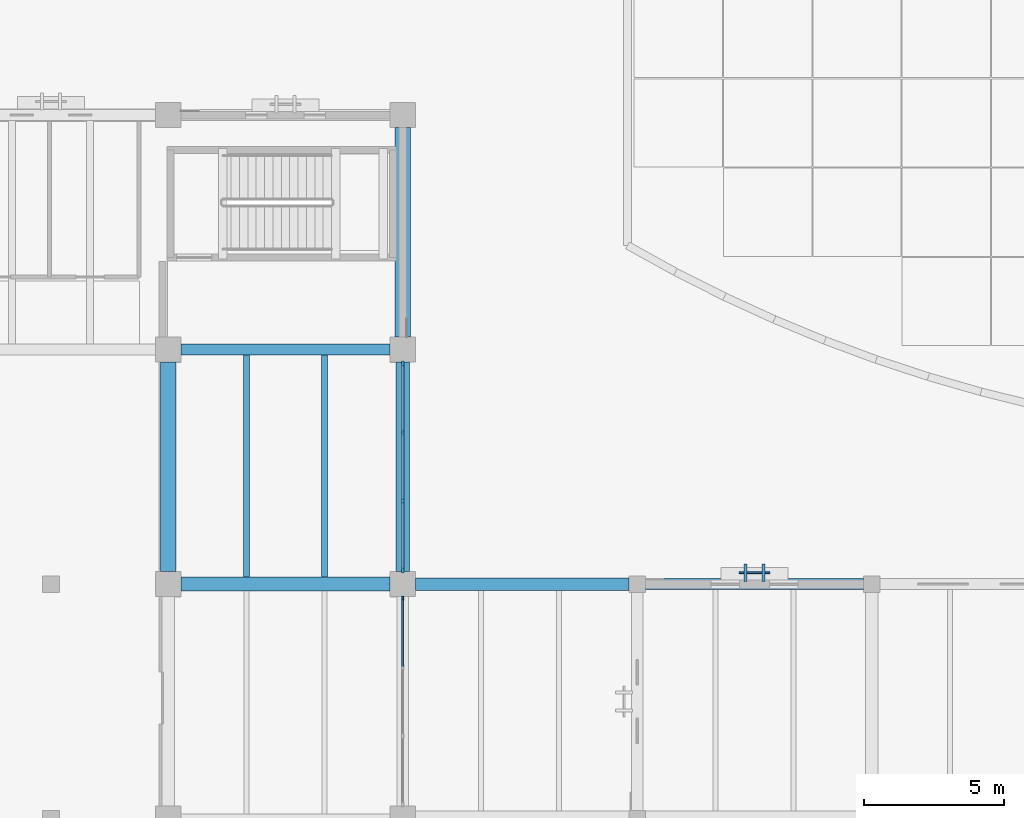
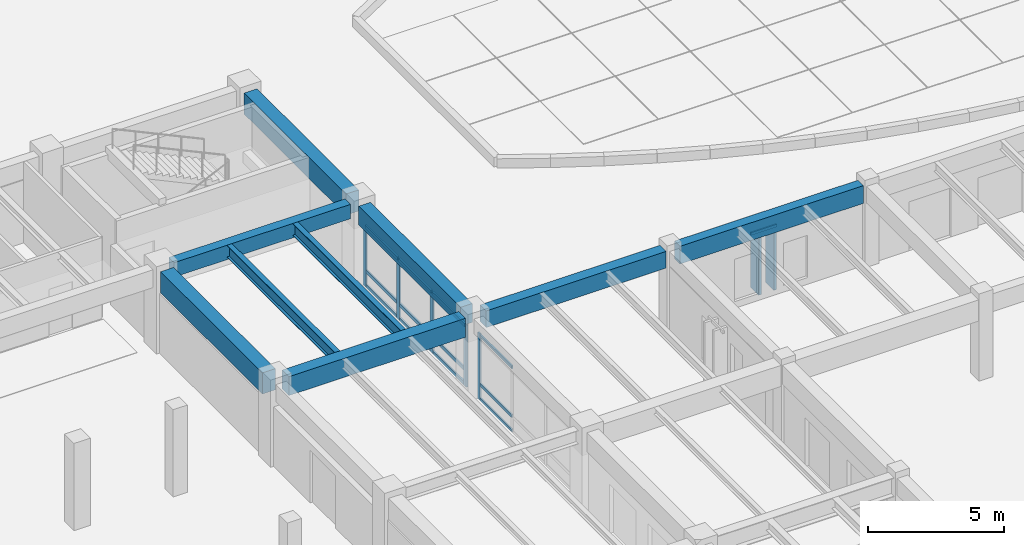
# One storey, part 33 of 135: 20 members, 9 beams, 3 elements without a shape of their own.
"""IFC4 building model written with IfcOpenShell, lengths in metres."""

from ifc_helpers import new_model, si_unit, direction, frame, origin, origin_2d, place, context, subcontext, project, spatial, rectangle, i_section, extrude, material, material_profile, profile_set, type_object, element, aggregate, save


model = new_model("IFC4")

# Units and contexts
model_context = context("Model", 3, precision=1e-05, world=origin(), true_north=direction((0.0, 1.0)))
body_context = subcontext(model_context, "Body", "Model", "MODEL_VIEW")
ifc_project = project(units=[si_unit("LENGTHUNIT", "METRE"), si_unit("AREAUNIT", "SQUARE_METRE"), si_unit("VOLUMEUNIT", "CUBIC_METRE"), si_unit("PLANEANGLEUNIT", "RADIAN"), si_unit("MASSUNIT", "GRAM", prefix="KILO")], contexts=[model_context])

# Site, building, storey
site_placement = place(None, origin())
site = spatial("IfcSite", under=ifc_project, at=site_placement, CompositionType="ELEMENT")
building_placement = place(site_placement, origin())
building = spatial("IfcBuilding", under=site, at=building_placement, Name="Cumbredor Promenade Congress Hotel", CompositionType="ELEMENT")
storey_placement = place(building_placement, origin())
storey = spatial("IfcBuildingStorey", under=building, at=storey_placement, Name="L00", CompositionType="ELEMENT", Elevation=0.0)

# Beams
ifc_material_1 = material(Name="Concrete C40/50", Category="concrete")
ifc_material_profile_1 = material_profile(ifc_material_1, rectangle(XDim=0.39990234375, YDim=0.64990234375, at=origin_2d()), Name="RC BEAM 400x650")
ifc_profile_set_1 = profile_set([ifc_material_profile_1], Name="Concrete C40/50")
beam_type_1 = type_object("IfcBeamType", Name="BM-RC-400x650", PredefinedType="BEAM", material=ifc_profile_set_1)
beam_1_placement = place(storey_placement, frame((59.25, 58.800048828125, 3.31494140625), z_axis=(1.0, 0.0, 0.0), x_axis=(0.0, 1.0, 0.0)))
element("IfcBeam", 1, at=beam_1_placement, inside=storey, type_object=beam_type_1, Name="L01 X-Grid Beam 098", PredefinedType="BEAM", context=body_context, shape_type="SweptSolid", body=[
    extrude(rectangle(XDim=0.39990234375, YDim=0.64990234375, at=origin_2d()), origin(), (0.0, 0.0, 1.0), 7.5),
])
ifc_material_profile_2 = material_profile(ifc_material_1, rectangle(XDim=0.449951171875, YDim=0.75, at=origin_2d()), Name="RC BEAM 450x750")
ifc_profile_set_2 = profile_set([ifc_material_profile_2], Name="Concrete C40/50")
beam_type_2 = type_object("IfcBeamType", Name="BM-RC-450x750", PredefinedType="BEAM", material=ifc_profile_set_2)
beam_2_placement = place(storey_placement, frame((67.64990234375, 50.39990234375, 3.264892578125), z_axis=(1.0, 0.0, 0.0), x_axis=(0.0, 1.0, 0.0)))
element("IfcBeam", 2, at=beam_2_placement, inside=storey, type_object=beam_type_2, Name="L01 X-Grid Beam 119", PredefinedType="BEAM", context=body_context, shape_type="SweptSolid", body=[
    extrude(rectangle(XDim=0.449951171875, YDim=0.75, at=origin_2d()), origin(), (0.0, 0.0, 1.0), 7.650146484375),
])
ifc_material_profile_3 = material_profile(ifc_material_1, rectangle(XDim=0.5, YDim=0.85009765625, at=origin_2d()), Name="RC BEAM 500x850")
ifc_profile_set_3 = profile_set([ifc_material_profile_3], Name="Concrete C40/50")
beam_type_3 = type_object("IfcBeamType", Name="BM-RC-500x850", PredefinedType="BEAM", material=ifc_profile_set_3)
for number, where, z_axis, x_axis, name in (
    (3, (59.25, 50.39990234375, 3.215087890625), (1.0, 0.0, 0.0), (0.0, 1.0, 0.0), "L01 X-Grid Beam 096"),
    (4, (67.199951171875, 50.85009765625, 3.215087890625), (0.0, 1.0, 0.0), (-1.0, 0.0, 0.0), "L01 Y-Grid Beam 120"),
):
    element("IfcBeam", number, at=place(storey_placement, frame(where, z_axis=z_axis, x_axis=x_axis)), inside=storey, type_object=beam_type_3, Name=name, PredefinedType="BEAM", context=body_context, shape_type="SweptSolid", body=[
        extrude(rectangle(XDim=0.5, YDim=0.85009765625, at=origin_2d()), origin(), (0.0, 0.0, 1.0), 7.5),
    ])
ifc_material_profile_4 = material_profile(ifc_material_1, rectangle(XDim=0.550048828125, YDim=0.949951171875, at=origin_2d()), Name="RC BEAM 550x950")
ifc_profile_set_4 = profile_set([ifc_material_profile_4], Name="Concrete C40/50")
beam_type_4 = type_object("IfcBeamType", Name="BM-RC-550x950", PredefinedType="BEAM", material=ifc_profile_set_4)
for number, where, z_axis, x_axis, name in (
    (5, (58.800048828125, 50.85009765625, 3.1650390625), (0.0, 1.0, 0.0), (-1.0, 0.0, 0.0), "L01 Y-Grid Beam 097"),
    (6, (67.199951171875, 59.25, 3.1650390625), (0.0, 1.0, 0.0), (-1.0, 0.0, 0.0), "L01 Y-Grid Beam 121"),
):
    element("IfcBeam", number, at=place(storey_placement, frame(where, z_axis=z_axis, x_axis=x_axis)), inside=storey, type_object=beam_type_4, Name=name, PredefinedType="BEAM", context=body_context, shape_type="SweptSolid", body=[
        extrude(rectangle(XDim=0.550048828125, YDim=0.949951171875, at=origin_2d()), origin(), (0.0, 0.0, 1.0), 7.5),
    ])

# Curtain wall, member
ifc_material_2 = material(Name="Thermally broken anodized aluminium and low-E glass", Category="aluminium")
curtain_wall_type_1 = type_object("IfcCurtainWallType", Name="Unitised Grand Foyer Curtain Wall CW-04", PredefinedType="NOTDEFINED", material=ifc_material_2)
curtain_wall_1_placement = place(storey_placement, origin())
curtain_wall_1 = element("IfcCurtainWall", 7, at=curtain_wall_1_placement, inside=storey, type_object=curtain_wall_type_1, Name="L00 Plenary Congress Hall East Curtain Wall 5", PredefinedType="NOTDEFINED")
ifc_material_3 = material(Name="Thermally broken anodized aluminium", Category="aluminium")
ifc_material_profile_5 = material_profile(ifc_material_3, rectangle(XDim=0.06494140625, YDim=0.159912109375, at=origin_2d()), Name="ALU MULLION 65x160")
ifc_profile_set_5 = profile_set([ifc_material_profile_5], Name="Thermally broken anodized aluminium")
member_type_1 = type_object("IfcMemberType", Name="Curtain Wall Mullion ML-01", PredefinedType="MULLION", material=ifc_profile_set_5)
member_1_placement = place(storey_placement, frame((67.199951171875, 49.89501953125, -0.008056640625), z_axis=(0.0, 0.0, 1.0), x_axis=(1.0, 0.0, 0.0)))
member_1 = element("IfcMember", 8, at=member_1_placement, type_object=member_type_1, Name="L00 Plenary Congress Hall East Curtain Wall 5 Mullion 4", PredefinedType="MULLION", context=body_context, shape_type="SweptSolid", body=[
    extrude(rectangle(XDim=0.06494140625, YDim=0.159912109375, at=origin_2d()), origin(), (0.0, 0.0, 1.0), 2.990966796875),
])

# Curtain wall, members
curtain_wall_2_placement = place(storey_placement, origin())
curtain_wall_2 = element("IfcCurtainWall", 9, at=curtain_wall_2_placement, inside=storey, type_object=curtain_wall_type_1, Name="L00 Plenary Congress Hall East Curtain Wall 6", PredefinedType="NOTDEFINED")
ifc_material_profile_6 = material_profile(ifc_material_3, rectangle(XDim=0.074951171875, YDim=0.199951171875, at=origin_2d()), Name="ALU MULLION 75x200")
ifc_profile_set_6 = profile_set([ifc_material_profile_6], Name="Thermally broken anodized aluminium")
member_type_2 = type_object("IfcMemberType", Name="Curtain Wall Mullion ML-02", PredefinedType="MULLION", material=ifc_profile_set_6)
member_2_placement = place(storey_placement, frame((67.199951171875, 50.905029296875, -0.008056640625), z_axis=(0.0, 0.0, 1.0), x_axis=(1.0, 0.0, 0.0)))
member_2 = element("IfcMember", 10, at=member_2_placement, type_object=member_type_2, Name="L00 Plenary Congress Hall East Curtain Wall 6 Mullion 1", PredefinedType="MULLION", context=body_context, shape_type="SweptSolid", body=[
    extrude(rectangle(XDim=0.074951171875, YDim=0.199951171875, at=origin_2d()), origin(), (0.0, 0.0, 1.0), 2.791015625),
])
member_3_placement = place(storey_placement, frame((67.199951171875, 53.368408203125, -0.008056640625), z_axis=(0.0, 0.0, 1.0), x_axis=(1.0, 0.0, 0.0)))
member_3 = element("IfcMember", 11, at=member_3_placement, type_object=member_type_2, Name="L00 Plenary Congress Hall East Curtain Wall 6 Mullion 2", PredefinedType="MULLION", context=body_context, shape_type="SweptSolid", body=[
    extrude(rectangle(XDim=0.074951171875, YDim=0.199951171875, at=origin_2d()), origin(), (0.0, 0.0, 1.0), 2.791015625),
])
member_4_placement = place(storey_placement, frame((67.199951171875, 55.831787109375, -0.008056640625), z_axis=(0.0, 0.0, 1.0), x_axis=(1.0, 0.0, 0.0)))
member_4 = element("IfcMember", 12, at=member_4_placement, type_object=member_type_2, Name="L00 Plenary Congress Hall East Curtain Wall 6 Mullion 3", PredefinedType="MULLION", context=body_context, shape_type="SweptSolid", body=[
    extrude(rectangle(XDim=0.074951171875, YDim=0.199951171875, at=origin_2d()), origin(), (0.0, 0.0, 1.0), 2.791015625),
])
member_5_placement = place(storey_placement, frame((67.199951171875, 58.294921875, -0.008056640625), z_axis=(0.0, 0.0, 1.0), x_axis=(1.0, 0.0, 0.0)))
member_5 = element("IfcMember", 13, at=member_5_placement, type_object=member_type_2, Name="L00 Plenary Congress Hall East Curtain Wall 6 Mullion 4", PredefinedType="MULLION", context=body_context, shape_type="SweptSolid", body=[
    extrude(rectangle(XDim=0.074951171875, YDim=0.199951171875, at=origin_2d()), origin(), (0.0, 0.0, 1.0), 2.791015625),
])

# Member
ifc_material_profile_7 = material_profile(ifc_material_3, rectangle(XDim=0.06494140625, YDim=0.1298828125, at=origin_2d()), Name="ALU TRANSOM 65x130")
ifc_profile_set_7 = profile_set([ifc_material_profile_7], Name="Thermally broken anodized aluminium")
member_type_3 = type_object("IfcMemberType", Name="Curtain Wall Transom TR-01", PredefinedType="USERDEFINED", material=ifc_profile_set_7)
member_6_placement = place(storey_placement, frame((67.199951171875, 47.464111328125, 0.070068359375), z_axis=(0.0, 1.0, 0.0), x_axis=(-1.0, 0.0, 0.0)))
member_6 = element("IfcMember", 14, at=member_6_placement, type_object=member_type_3, Name="L00 Plenary Congress Hall East Curtain Wall 5 Transom 3.1", ObjectType="TRANSOM", PredefinedType="USERDEFINED", context=body_context, shape_type="SweptSolid", body=[
    extrude(rectangle(XDim=0.06494140625, YDim=0.1298828125, at=origin_2d()), origin(), (0.0, 0.0, 1.0), 2.3984375),
])

member_7_placement = place(storey_placement, frame((67.199951171875, 47.464111328125, 0.719970703125), z_axis=(0.0, 1.0, 0.0), x_axis=(-1.0, 0.0, 0.0)))
member_7 = element("IfcMember", 15, at=member_7_placement, type_object=member_type_3, Name="L00 Plenary Congress Hall East Curtain Wall 5 Transom 3.2", ObjectType="TRANSOM", PredefinedType="USERDEFINED", context=body_context, shape_type="SweptSolid", body=[
    extrude(rectangle(XDim=0.06494140625, YDim=0.1298828125, at=origin_2d()), origin(), (0.0, 0.0, 1.0), 2.3984375),
])

member_8_placement = place(storey_placement, frame((67.199951171875, 47.464111328125, 2.909912109375), z_axis=(0.0, 1.0, 0.0), x_axis=(-1.0, 0.0, 0.0)))
member_8 = element("IfcMember", 16, at=member_8_placement, type_object=member_type_3, Name="L00 Plenary Congress Hall East Curtain Wall 5 Transom 3.3", ObjectType="TRANSOM", PredefinedType="USERDEFINED", context=body_context, shape_type="SweptSolid", body=[
    extrude(rectangle(XDim=0.06494140625, YDim=0.1298828125, at=origin_2d()), origin(), (0.0, 0.0, 1.0), 2.3984375),
])

aggregate(curtain_wall_1, [member_1, member_6, member_7, member_8])

# Curtain wall, member
curtain_wall_type_2 = type_object("IfcCurtainWallType", Name="Solar Brise-Soleil Screen Assembly CW-07", PredefinedType="NOTDEFINED", material=ifc_material_2)
curtain_wall_3_placement = place(storey_placement, origin())
curtain_wall_3 = element("IfcCurtainWall", 17, at=curtain_wall_3_placement, inside=storey, type_object=curtain_wall_type_2, Name="L00 Pier Brise-Soleil Screen 0037", PredefinedType="NOTDEFINED")
member_9_placement = place(storey_placement, frame((79.25, 50.81005859375, 2.6650390625), z_axis=(1.0, 0.0, 0.0), x_axis=(0.0, 1.0, 0.0)))
member_9 = element("IfcMember", 18, at=member_9_placement, type_object=member_type_3, Name="L00 Pier Brise-Soleil Header 0039", ObjectType="TRANSOM", PredefinedType="USERDEFINED", context=body_context, shape_type="SweptSolid", body=[
    extrude(rectangle(XDim=0.06494140625, YDim=0.1298828125, at=origin_2d()), origin(), (0.0, 0.0, 1.0), 1.10009765625),
])

# Member
ifc_material_profile_8 = material_profile(ifc_material_3, rectangle(XDim=0.074951171875, YDim=0.14990234375, at=origin_2d()), Name="ALU TRANSOM 75x150")
ifc_profile_set_8 = profile_set([ifc_material_profile_8], Name="Thermally broken anodized aluminium")
member_type_4 = type_object("IfcMemberType", Name="Curtain Wall Transom TR-02", PredefinedType="USERDEFINED", material=ifc_profile_set_8)
member_10_placement = place(storey_placement, frame((67.199951171875, 50.9423828125, 0.070068359375), z_axis=(0.0, 1.0, 0.0), x_axis=(-1.0, 0.0, 0.0)))
member_10 = element("IfcMember", 19, at=member_10_placement, type_object=member_type_4, Name="L00 Plenary Congress Hall East Curtain Wall 6 Transom 1.1", ObjectType="TRANSOM", PredefinedType="USERDEFINED", context=body_context, shape_type="SweptSolid", body=[
    extrude(rectangle(XDim=0.074951171875, YDim=0.14990234375, at=origin_2d()), origin(), (0.0, 0.0, 1.0), 2.388427734375),
])

member_11_placement = place(storey_placement, frame((67.199951171875, 50.9423828125, 0.719970703125), z_axis=(0.0, 1.0, 0.0), x_axis=(-1.0, 0.0, 0.0)))
member_11 = element("IfcMember", 20, at=member_11_placement, type_object=member_type_4, Name="L00 Plenary Congress Hall East Curtain Wall 6 Transom 1.2", ObjectType="TRANSOM", PredefinedType="USERDEFINED", context=body_context, shape_type="SweptSolid", body=[
    extrude(rectangle(XDim=0.074951171875, YDim=0.14990234375, at=origin_2d()), origin(), (0.0, 0.0, 1.0), 2.388427734375),
])

member_12_placement = place(storey_placement, frame((67.199951171875, 50.9423828125, 2.699951171875), z_axis=(0.0, 1.0, 0.0), x_axis=(-1.0, 0.0, 0.0)))
member_12 = element("IfcMember", 21, at=member_12_placement, type_object=member_type_4, Name="L00 Plenary Congress Hall East Curtain Wall 6 Transom 1.3", ObjectType="TRANSOM", PredefinedType="USERDEFINED", context=body_context, shape_type="SweptSolid", body=[
    extrude(rectangle(XDim=0.074951171875, YDim=0.14990234375, at=origin_2d()), origin(), (0.0, 0.0, 1.0), 2.388427734375),
])

member_13_placement = place(storey_placement, frame((67.199951171875, 53.40576171875, 0.070068359375), z_axis=(0.0, 1.0, 0.0), x_axis=(-1.0, 0.0, 0.0)))
member_13 = element("IfcMember", 22, at=member_13_placement, type_object=member_type_4, Name="L00 Plenary Congress Hall East Curtain Wall 6 Transom 2.1", ObjectType="TRANSOM", PredefinedType="USERDEFINED", context=body_context, shape_type="SweptSolid", body=[
    extrude(rectangle(XDim=0.074951171875, YDim=0.14990234375, at=origin_2d()), origin(), (0.0, 0.0, 1.0), 2.388427734375),
])

member_14_placement = place(storey_placement, frame((67.199951171875, 53.40576171875, 0.719970703125), z_axis=(0.0, 1.0, 0.0), x_axis=(-1.0, 0.0, 0.0)))
member_14 = element("IfcMember", 23, at=member_14_placement, type_object=member_type_4, Name="L00 Plenary Congress Hall East Curtain Wall 6 Transom 2.2", ObjectType="TRANSOM", PredefinedType="USERDEFINED", context=body_context, shape_type="SweptSolid", body=[
    extrude(rectangle(XDim=0.074951171875, YDim=0.14990234375, at=origin_2d()), origin(), (0.0, 0.0, 1.0), 2.388427734375),
])

member_15_placement = place(storey_placement, frame((67.199951171875, 53.40576171875, 2.699951171875), z_axis=(0.0, 1.0, 0.0), x_axis=(-1.0, 0.0, 0.0)))
member_15 = element("IfcMember", 24, at=member_15_placement, type_object=member_type_4, Name="L00 Plenary Congress Hall East Curtain Wall 6 Transom 2.3", ObjectType="TRANSOM", PredefinedType="USERDEFINED", context=body_context, shape_type="SweptSolid", body=[
    extrude(rectangle(XDim=0.074951171875, YDim=0.14990234375, at=origin_2d()), origin(), (0.0, 0.0, 1.0), 2.388427734375),
])

member_16_placement = place(storey_placement, frame((67.199951171875, 55.869140625, 0.070068359375), z_axis=(0.0, 1.0, 0.0), x_axis=(-1.0, 0.0, 0.0)))
member_16 = element("IfcMember", 25, at=member_16_placement, type_object=member_type_4, Name="L00 Plenary Congress Hall East Curtain Wall 6 Transom 3.1", ObjectType="TRANSOM", PredefinedType="USERDEFINED", context=body_context, shape_type="SweptSolid", body=[
    extrude(rectangle(XDim=0.074951171875, YDim=0.14990234375, at=origin_2d()), origin(), (0.0, 0.0, 1.0), 2.388427734375),
])

member_17_placement = place(storey_placement, frame((67.199951171875, 55.869140625, 0.719970703125), z_axis=(0.0, 1.0, 0.0), x_axis=(-1.0, 0.0, 0.0)))
member_17 = element("IfcMember", 26, at=member_17_placement, type_object=member_type_4, Name="L00 Plenary Congress Hall East Curtain Wall 6 Transom 3.2", ObjectType="TRANSOM", PredefinedType="USERDEFINED", context=body_context, shape_type="SweptSolid", body=[
    extrude(rectangle(XDim=0.074951171875, YDim=0.14990234375, at=origin_2d()), origin(), (0.0, 0.0, 1.0), 2.388427734375),
])

member_18_placement = place(storey_placement, frame((67.199951171875, 55.869140625, 2.699951171875), z_axis=(0.0, 1.0, 0.0), x_axis=(-1.0, 0.0, 0.0)))
member_18 = element("IfcMember", 27, at=member_18_placement, type_object=member_type_4, Name="L00 Plenary Congress Hall East Curtain Wall 6 Transom 3.3", ObjectType="TRANSOM", PredefinedType="USERDEFINED", context=body_context, shape_type="SweptSolid", body=[
    extrude(rectangle(XDim=0.074951171875, YDim=0.14990234375, at=origin_2d()), origin(), (0.0, 0.0, 1.0), 2.388427734375),
])

aggregate(curtain_wall_2, [member_2, member_3, member_4, member_5, member_10, member_11, member_12, member_13, member_14, member_15, member_16, member_17, member_18])

# Beams
ifc_material_4 = material(Name="Steel ASTM A992 Grade 50", Category="steel")
ifc_material_profile_9 = material_profile(ifc_material_4, i_section(OverallWidth=0.214111328125, OverallDepth=0.549072265625, WebThickness=0.0146484375, FlangeThickness=0.023681640625, at=origin_2d()), Name="W21X93")
ifc_profile_set_9 = profile_set([ifc_material_profile_9], Name="Steel ASTM A992 Grade 50")
beam_type_5 = type_object("IfcBeamType", Name="JST-W21X93", PredefinedType="JOIST", material=ifc_profile_set_9)
for number, where, z_axis, x_axis, name in (
    (28, (61.60009765625, 50.64990234375, 3.365478515625), (0.0, 1.0, 0.0), (-1.0, 0.0, 0.0), "L01 Secondary Floor Joist 0052"),
    (29, (64.39990234375, 50.64990234375, 3.365478515625), (0.0, 1.0, 0.0), (-1.0, 0.0, 0.0), "L01 Secondary Floor Joist 0053"),
):
    element("IfcBeam", number, at=place(storey_placement, frame(where, z_axis=z_axis, x_axis=x_axis)), inside=storey, type_object=beam_type_5, Name=name, PredefinedType="JOIST", context=body_context, shape_type="SweptSolid", body=[
        extrude(i_section(OverallWidth=0.214111328125, OverallDepth=0.549072265625, WebThickness=0.0146484375, FlangeThickness=0.023681640625, at=origin_2d()), origin(), (0.0, 0.0, 1.0), 7.9501953125),
    ])
ifc_material_profile_10 = material_profile(ifc_material_1, rectangle(XDim=0.39990234375, YDim=0.800048828125, at=origin_2d()), Name="RC SPANDREL 400x800")
ifc_profile_set_10 = profile_set([ifc_material_profile_10], Name="Concrete C40/50")
beam_type_6 = type_object("IfcBeamType", Name="SP-RC-400x800", PredefinedType="SPANDREL", material=ifc_profile_set_10)
beam_3_placement = place(storey_placement, frame((75.89990234375, 50.39990234375, 3.239990234375), z_axis=(1.0, 0.0, 0.0), x_axis=(0.0, 1.0, 0.0)))
element("IfcBeam", 30, at=beam_3_placement, inside=storey, type_object=beam_type_6, Name="L01 X-Grid Beam 139", PredefinedType="SPANDREL", context=body_context, shape_type="SweptSolid", body=[
    extrude(rectangle(XDim=0.39990234375, YDim=0.800048828125, at=origin_2d()), origin(), (0.0, 0.0, 1.0), 7.800048828125),
])

# Member
ifc_material_profile_11 = material_profile(ifc_material_3, rectangle(XDim=0.110107421875, YDim=0.6201171875, at=origin_2d()), Name="ARCH FIN 110x620")
ifc_profile_set_11 = profile_set([ifc_material_profile_11], Name="Thermally broken anodized aluminium")
member_type_5 = type_object("IfcMemberType", Name="Vertical Bronze Brise-Soleil Fin BSF-02 110x620", PredefinedType="USERDEFINED", material=ifc_profile_set_11)
member_19_placement = place(storey_placement, frame((79.47998046875, 50.81005859375, 0.02001953125), z_axis=(0.0, 0.0, 1.0), x_axis=(1.0, 0.0, 0.0)))
member_19 = element("IfcMember", 31, at=member_19_placement, type_object=member_type_5, Name="L00 Pier Brise-Soleil Fin 0038", ObjectType="SOLAR FIN", PredefinedType="USERDEFINED", context=body_context, shape_type="SweptSolid", body=[
    extrude(rectangle(XDim=0.110107421875, YDim=0.6201171875, at=origin_2d()), origin(), (0.0, 0.0, 1.0), 2.68505859375),
])

member_20_placement = place(storey_placement, frame((80.1201171875, 50.81005859375, 0.02001953125), z_axis=(0.0, 0.0, 1.0), x_axis=(1.0, 0.0, 0.0)))
member_20 = element("IfcMember", 32, at=member_20_placement, type_object=member_type_5, Name="L00 Pier Brise-Soleil Fin 0039", ObjectType="SOLAR FIN", PredefinedType="USERDEFINED", context=body_context, shape_type="SweptSolid", body=[
    extrude(rectangle(XDim=0.110107421875, YDim=0.6201171875, at=origin_2d()), origin(), (0.0, 0.0, 1.0), 2.68505859375),
])

aggregate(curtain_wall_3, [member_19, member_20, member_9])

save(model, "model.ifc")
